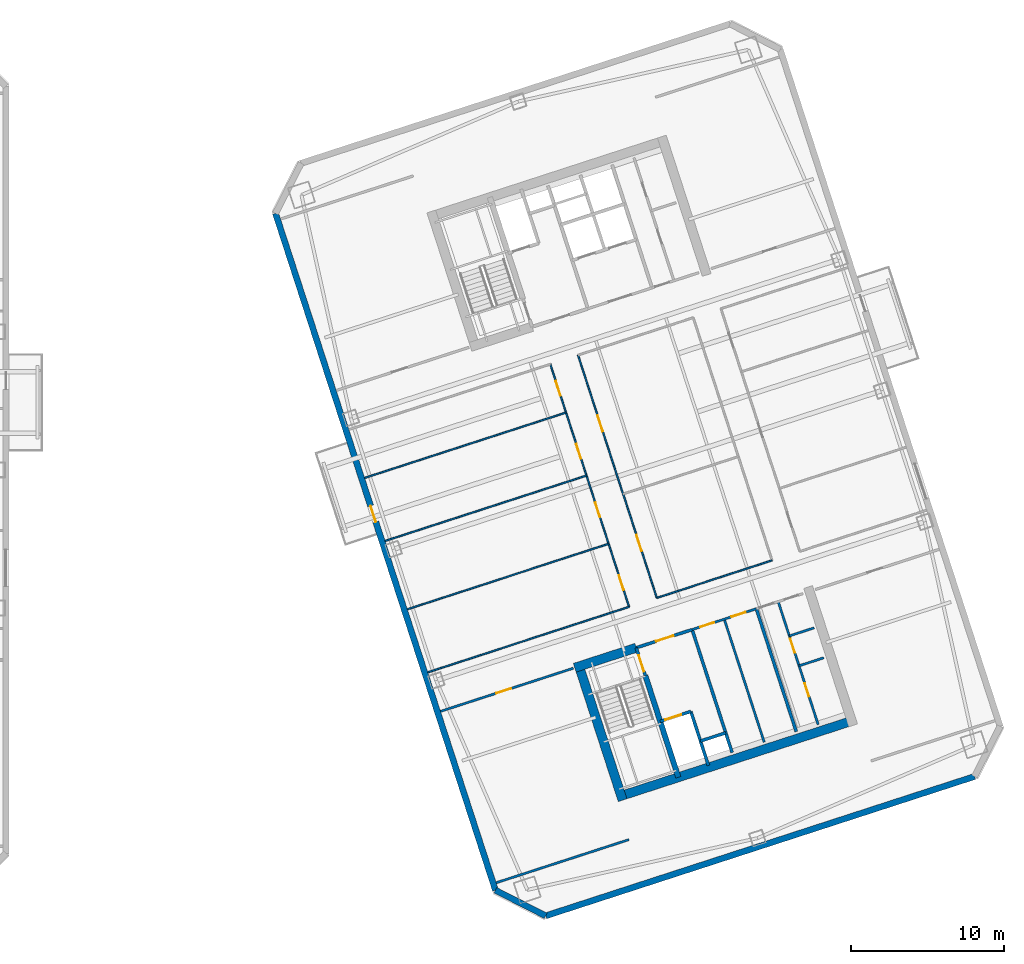
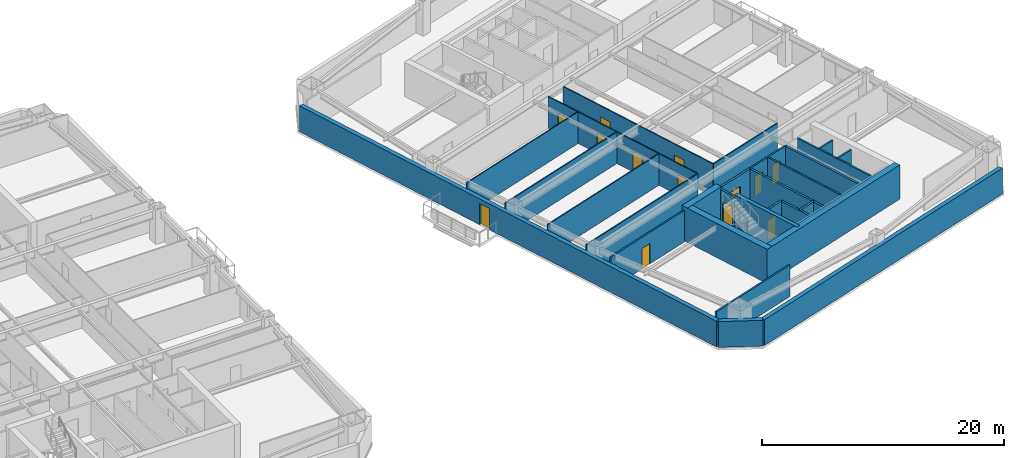
# One storey, part 7 of 15: 28 walls, 15 doors, 15 openings.
"""IFC4 building model written with IfcOpenShell, lengths in metres."""

from ifc_helpers import new_model, si_unit, direction, frame, frame_2d, origin, place, context, subcontext, project, spatial, rectangle, extrude, material, layer, layer_set, type_object, element, fill, save


model = new_model("IFC4")

# Units and contexts
model_context = context("Model", 3, precision=1e-05, world=origin(), true_north=direction((0.0, 1.0)))
body_context = subcontext(model_context, "Body", "Model", "MODEL_VIEW")
ifc_project = project(units=[si_unit("LENGTHUNIT", "METRE"), si_unit("AREAUNIT", "SQUARE_METRE"), si_unit("VOLUMEUNIT", "CUBIC_METRE"), si_unit("PLANEANGLEUNIT", "RADIAN"), si_unit("MASSUNIT", "GRAM", prefix="KILO")], contexts=[model_context])

# Site, building, storey
site_placement = place(None, origin())
site = spatial("IfcSite", under=ifc_project, at=site_placement, CompositionType="ELEMENT")
building_placement = place(site_placement, origin())
building = spatial("IfcBuilding", under=site, at=building_placement, Name="Qiaolan Cultural Towers", CompositionType="ELEMENT")
storey_placement = place(building_placement, frame((0.0, 0.0, 113.85009765625)))
storey = spatial("IfcBuildingStorey", under=building, at=storey_placement, Name="L29", CompositionType="ELEMENT", Elevation=113.85009765625)

# Walls
ifc_material_1 = material(Name="Concrete C50", Category="concrete")
ifc_layer_1 = layer(ifc_material_1, 0.35009765625)
ifc_layer_set_1 = layer_set([ifc_layer_1], Name="Concrete C50")
wall_type_1 = type_object("IfcWallType", Name="WL-CORE-350", PredefinedType="SHEAR", material=ifc_layer_set_1)
wall_1_placement = place(storey_placement, frame((90.486328125, 20.59423828125, 0.0), z_axis=(0.0, 0.0, 1.0), x_axis=(0.309020428229, -0.951055400562, 0.0)))
element("IfcWall", 1, at=wall_1_placement, inside=storey, type_object=wall_type_1, Name="L29 T2-CS Stair Core Dividing Web", PredefinedType="SHEAR", context=body_context, shape_type="SweptSolid", body=[
    extrude(rectangle(XDim=6.97998046875, YDim=0.35009765625, at=frame_2d((3.489990234375, 0.0))), origin(), (0.0, 0.0, 1.0), 3.449951171875),
])
ifc_material_2 = material(Name="Concrete C55", Category="concrete")
ifc_layer_2 = layer(ifc_material_2, 0.60009765625)
ifc_layer_set_2 = layer_set([ifc_layer_2], Name="Concrete C55")
wall_type_2 = type_object("IfcWallType", Name="WL-CORE-600", PredefinedType="SHEAR", material=ifc_layer_set_2)
wall_2_placement = place(storey_placement, frame((88.6298828125, 12.65185546875, 0.0), z_axis=(0.0, 0.0, 1.0), x_axis=(0.95105714907, 0.309015046886, 0.0)))
element("IfcWall", 2, at=wall_2_placement, inside=storey, type_object=wall_type_2, Name="L29 T2-CS Outer Core Shear Wall", PredefinedType="SHEAR", context=body_context, shape_type="SweptSolid", body=[
    extrude(rectangle(XDim=16.400146484375, YDim=0.60009765625, at=frame_2d((8.2001953125, 0.0))), origin(), (0.0, 0.0, 1.0), 3.449951171875),
])
wall_3_placement = place(storey_placement, frame((86.078369140625, 21.47509765625, 0.0), z_axis=(0.0, 0.0, 1.0), x_axis=(0.309017938678, -0.951056209472, 0.0)))
element("IfcWall", 3, at=wall_3_placement, inside=storey, type_object=wall_type_2, Name="L29 T2-CS West Core Shear Wall", PredefinedType="SHEAR", context=body_context, shape_type="SweptSolid", body=[
    extrude(rectangle(XDim=9.479736328125, YDim=0.60009765625, at=frame_2d((4.73974609375, 0.0))), origin(), (0.0, 0.0, 1.0), 3.449951171875),
])
wall_4_placement = place(storey_placement, frame((85.8857421875, 21.09716796875, 0.0), z_axis=(0.0, 0.0, 1.0), x_axis=(0.951068073652, 0.308981422225, 0.0)))
element("IfcWall", 4, at=wall_4_placement, inside=storey, type_object=wall_type_2, Name="L29 T2-CS Stair Front Shear Wall", PredefinedType="SHEAR", context=body_context, shape_type="SweptSolid", body=[
    extrude(rectangle(XDim=4.22021484375, YDim=0.60009765625, at=frame_2d((2.110107421875, 0.0))), origin(), (0.0, 0.0, 1.0), 3.449951171875),
])

# Wall, opening, door
ifc_material_3 = material(Name="Precast Concrete C50 Honed Stone Pier", Category="masonry")
ifc_layer_3 = layer(ifc_material_3, 0.39990234375)
ifc_layer_set_3 = layer_set([ifc_layer_3], Name="Precast Concrete C50 Honed Stone Pier")
wall_type_3 = type_object("IfcWallType", Name="WL-EXT-PIER-400", PredefinedType="SOLIDWALL", material=ifc_layer_set_3)
wall_5_placement = place(storey_placement, frame((80.7158203125, 6.589599609375, 0.0), z_axis=(0.0, 0.0, 1.0), x_axis=(-0.309017542002, 0.95105633836, 0.0)))
wall_5 = element("IfcWall", 5, at=wall_5_placement, inside=storey, type_object=wall_type_3, Name="L29 East Tower Precast Pier Facade Wall F1", PredefinedType="SOLIDWALL", context=body_context, shape_type="SweptSolid", body=[
    extrude(rectangle(XDim=46.39990234375, YDim=0.39990234375, at=frame_2d((23.199951171875, 0.0))), origin(), (0.0, 0.0, 1.0), 2.60986328125),
])
opening_1_placement = place(wall_5_placement, frame((25.25, 0.0, 0.0)))
opening_1 = element("IfcOpeningElement", 6, at=opening_1_placement, cuts=wall_5, Name="Opening BD-01", PredefinedType="OPENING", context=body_context, shape_type="SweptSolid", body=[
    extrude(rectangle(XDim=1.10009765625, YDim=2.14990234375, at=frame_2d((0.550048828125, 1.074951171875))), frame((0.0, 0.2099609375, 0.0), z_axis=(0.0, -1.0, 0.0), x_axis=(1.0, 0.0, 0.0)), (0.0, 0.0, 1.0), 0.419921875),
])
ifc_material_4 = material(Name="Thermally Broken Aluminium Glazed Terrace Door", Category="aluminium")
door_type_1 = type_object("IfcDoorType", Name="DR-BAL-1100", OperationType="NOTDEFINED", PredefinedType="DOOR", material=ifc_material_4)
door_1_placement = place(opening_1_placement, origin())
door_1 = element("IfcDoor", 7, at=door_1_placement, inside=storey, type_object=door_type_1, Name="L29 T2 West Tree Balcony Door", OperationType="SINGLE_SWING_LEFT", OverallHeight=2.14990234375, OverallWidth=1.10009765625, PredefinedType="DOOR", context=body_context, shape_type="SweptSolid", body=[
    extrude(rectangle(XDim=1.10009765625, YDim=2.14990234375, at=frame_2d((0.550048828125, 1.074951171875))), frame((0.0, 0.02490234375, 0.0), z_axis=(0.0, -1.0, 0.0), x_axis=(1.0, 0.0, 0.0)), (0.0, 0.0, 1.0), 0.050048828125),
])
fill(opening_1, door_1)

# Walls
wall_6_placement = place(storey_placement, frame((111.953125, 14.00537109375, 0.0), z_axis=(0.0, 0.0, 1.0), x_axis=(-0.95105505922, -0.309021478754, 0.0)))
element("IfcWall", 8, at=wall_6_placement, inside=storey, type_object=wall_type_3, Name="L29 East Tower Precast Pier Facade Wall F7", PredefinedType="SOLIDWALL", context=body_context, shape_type="SweptSolid", body=[
    extrude(rectangle(XDim=29.39990234375, YDim=0.39990234375, at=frame_2d((14.699951171875, 0.0))), origin(), (0.0, 0.0, 1.0), 2.60986328125),
])
wall_7_placement = place(storey_placement, frame((83.9921875, 4.920166015625, 0.0), z_axis=(0.0, 0.0, 1.0), x_axis=(-0.891001999643, 0.45399937955, 0.0)))
element("IfcWall", 9, at=wall_7_placement, inside=storey, type_object=wall_type_3, Name="L29 East Tower Precast Pier Facade Wall F8", PredefinedType="SOLIDWALL", context=body_context, shape_type="SweptSolid", body=[
    extrude(rectangle(XDim=3.67724609375, YDim=0.39990234375, at=frame_2d((1.838623046875, 0.0))), origin(), (0.0, 0.0, 1.0), 2.60986328125),
])

# Wall, opening, door
ifc_material_5 = material(Name="Concrete C35 Fire Wall", Category="concrete")
ifc_layer_4 = layer(ifc_material_5, 0.199951171875)
ifc_layer_set_4 = layer_set([ifc_layer_4], Name="Concrete C35 Fire Wall")
wall_type_4 = type_object("IfcWallType", Name="WL-FIRE-200", PredefinedType="PARTITIONING", material=ifc_layer_set_4)
wall_8_placement = place(storey_placement, frame((89.8994140625, 22.401123046875, 0.0), z_axis=(0.0, 0.0, 1.0), x_axis=(0.308932062672, -0.951084108086, 0.0)))
wall_8 = element("IfcWall", 10, at=wall_8_placement, inside=storey, type_object=wall_type_4, Name="L29 T2-CS Smokeproof Stair Entry Wall", PredefinedType="PARTITIONING", context=body_context, shape_type="SweptSolid", body=[
    extrude(rectangle(XDim=1.89990234375, YDim=0.199951171875, at=frame_2d((0.949951171875, 0.0))), origin(), (0.0, 0.0, 1.0), 3.1748046875),
])
opening_2_placement = place(wall_8_placement, frame((0.52001953125, 0.0, 0.0)))
opening_2 = element("IfcOpeningElement", 11, at=opening_2_placement, cuts=wall_8, Name="Opening FD-04", PredefinedType="OPENING", context=body_context, shape_type="SweptSolid", body=[
    extrude(rectangle(XDim=1.10009765625, YDim=2.050048828125, at=frame_2d((0.550048828125, 1.02490234375))), frame((0.0, 0.10986328125, 0.0), z_axis=(0.0, -1.0, 0.0), x_axis=(1.0, 0.0, 0.0)), (0.0, 0.0, 1.0), 0.219970703125),
])
ifc_material_6 = material(Name="Galvanized Steel Command Fire Door", Category="steel")
door_type_2 = type_object("IfcDoorType", Name="DR-FD90-1100", OperationType="NOTDEFINED", PredefinedType="DOOR", material=ifc_material_6)
door_2_placement = place(opening_2_placement, origin())
door_2 = element("IfcDoor", 12, at=door_2_placement, inside=storey, type_object=door_type_2, Name="L29 ST-E1 Smokeproof Stair Fire Door", OperationType="SINGLE_SWING_LEFT", OverallHeight=2.050048828125, OverallWidth=1.10009765625, PredefinedType="DOOR", context=body_context, shape_type="SweptSolid", body=[
    extrude(rectangle(XDim=1.10009765625, YDim=2.050048828125, at=frame_2d((0.550048828125, 1.02490234375))), frame((0.0, 0.02490234375, 0.0), z_axis=(0.0, -1.0, 0.0), x_axis=(1.0, 0.0, 0.0)), (0.0, 0.0, 1.0), 0.050048828125),
])
fill(opening_2, door_2)

# Wall
wall_9_placement = place(storey_placement, frame((93.541748046875, 23.584716796875, 0.0), z_axis=(0.0, 0.0, 1.0), x_axis=(0.309042196757, -0.951048327176, 0.0)))
element("IfcWall", 13, at=wall_9_placement, inside=storey, type_object=wall_type_4, Name="L29 T2-CS Firefighting Zone Wall", PredefinedType="PARTITIONING", context=body_context, shape_type="SweptSolid", body=[
    extrude(rectangle(XDim=8.429931640625, YDim=0.199951171875, at=frame_2d((4.21484375, 0.0))), origin(), (0.0, 0.0, 1.0), 3.1748046875),
])

# Wall, opening, door
wall_10_placement = place(storey_placement, frame((89.8994140625, 22.401123046875, 0.0), z_axis=(0.0, 0.0, 1.0), x_axis=(0.951046716504, 0.309047153403, 0.0)))
wall_10 = element("IfcWall", 14, at=wall_10_placement, inside=storey, type_object=wall_type_4, Name="L29 T2-CS Firefighting Lobby Front Wall", PredefinedType="PARTITIONING", context=body_context, shape_type="SweptSolid", body=[
    extrude(rectangle(XDim=3.829833984375, YDim=0.199951171875, at=frame_2d((1.9150390625, 0.0))), origin(), (0.0, 0.0, 1.0), 3.1748046875),
])
opening_3_placement = place(wall_10_placement, frame((1.35009765625, 0.0, 0.0)))
opening_3 = element("IfcOpeningElement", 15, at=opening_3_placement, cuts=wall_10, Name="Opening FD-03", PredefinedType="OPENING", context=body_context, shape_type="SweptSolid", body=[
    extrude(rectangle(XDim=1.199951171875, YDim=2.050048828125, at=frame_2d((0.60009765625, 1.02490234375))), frame((0.0, 0.10986328125, 0.0), z_axis=(0.0, -1.0, 0.0), x_axis=(1.0, 0.0, 0.0)), (0.0, 0.0, 1.0), 0.219970703125),
])
ifc_material_7 = material(Name="Galvanized Steel Smokeproof Lobby Fire Door", Category="steel")
door_type_3 = type_object("IfcDoorType", Name="DR-FD90-1200", OperationType="NOTDEFINED", PredefinedType="DOOR", material=ifc_material_7)
door_3_placement = place(opening_3_placement, origin())
door_3 = element("IfcDoor", 16, at=door_3_placement, inside=storey, type_object=door_type_3, Name="L29 FFL-E1 Firefighting Lobby Fire Door", OperationType="SINGLE_SWING_LEFT", OverallHeight=2.050048828125, OverallWidth=1.199951171875, PredefinedType="DOOR", context=body_context, shape_type="SweptSolid", body=[
    extrude(rectangle(XDim=1.199951171875, YDim=2.050048828125, at=frame_2d((0.60009765625, 1.02490234375))), frame((0.0, 0.02490234375, 0.0), z_axis=(0.0, -1.0, 0.0), x_axis=(1.0, 0.0, 0.0)), (0.0, 0.0, 1.0), 0.050048828125),
])
fill(opening_3, door_3)

wall_11_placement = place(storey_placement, frame((91.459716796875, 17.598388671875, 0.0), z_axis=(0.0, 0.0, 1.0), x_axis=(0.951062257173, 0.308999325213, 0.0)))
wall_11 = element("IfcWall", 17, at=wall_11_placement, inside=storey, type_object=wall_type_4, Name="L29 T2-CS Firefighting Shaft Front Wall", PredefinedType="PARTITIONING", context=body_context, shape_type="SweptSolid", body=[
    extrude(rectangle(XDim=2.10009765625, YDim=0.199951171875, at=frame_2d((1.050048828125, 0.0))), origin(), (0.0, 0.0, 1.0), 3.1748046875),
])
opening_4_placement = place(wall_11_placement, frame((0.35009765625, 0.0, 0.0)))
opening_4 = element("IfcOpeningElement", 18, at=opening_4_placement, cuts=wall_11, Name="Opening LD-01", PredefinedType="OPENING", context=body_context, shape_type="SweptSolid", body=[
    extrude(rectangle(XDim=1.10009765625, YDim=2.050048828125, at=frame_2d((0.550048828125, 1.02490234375))), frame((0.0, 0.10986328125, 0.0), z_axis=(0.0, -1.0, 0.0), x_axis=(1.0, 0.0, 0.0)), (0.0, 0.0, 1.0), 0.219970703125),
])
ifc_material_8 = material(Name="Brushed Stainless Steel S30408 Centre-Parting Lift Landing Door", Category="steel")
door_type_4 = type_object("IfcDoorType", Name="DR-LIFT-1100", OperationType="NOTDEFINED", PredefinedType="DOOR", material=ifc_material_8)
door_4_placement = place(opening_4_placement, origin())
door_4 = element("IfcDoor", 19, at=door_4_placement, inside=storey, type_object=door_type_4, Name="L29 FFL-E1 Firefighting Lift Landing Door", OperationType="DOUBLE_DOOR_SLIDING", OverallHeight=2.050048828125, OverallWidth=1.10009765625, PredefinedType="DOOR", context=body_context, shape_type="SweptSolid", body=[
    extrude(rectangle(XDim=1.10009765625, YDim=2.050048828125, at=frame_2d((0.550048828125, 1.02490234375))), frame((0.0, 0.02490234375, 0.0), z_axis=(0.0, -1.0, 0.0), x_axis=(1.0, 0.0, 0.0)), (0.0, 0.0, 1.0), 0.050048828125),
])
fill(opening_4, door_4)

# Walls
wall_12_placement = place(storey_placement, frame((93.45703125, 18.247314453125, 0.0), z_axis=(0.0, 0.0, 1.0), x_axis=(0.3089935693, -0.951064127245, 0.0)))
element("IfcWall", 20, at=wall_12_placement, inside=storey, type_object=wall_type_4, Name="L29 T2-CS Firefighting Hoistway East Wall", PredefinedType="PARTITIONING", context=body_context, shape_type="SweptSolid", body=[
    extrude(rectangle(XDim=3.7001953125, YDim=0.199951171875, at=frame_2d((1.85009765625, 0.0))), origin(), (0.0, 0.0, 1.0), 3.1748046875),
])
wall_13_placement = place(storey_placement, frame((94.08447265625, 16.316650390625, 0.0), z_axis=(0.0, 0.0, 1.0), x_axis=(0.951041328149, 0.309063734775, 0.0)))
element("IfcWall", 21, at=wall_13_placement, inside=storey, type_object=wall_type_4, Name="L29 T2-CS Pressurization Shaft Front Wall", PredefinedType="PARTITIONING", context=body_context, shape_type="SweptSolid", body=[
    extrude(rectangle(XDim=1.72998046875, YDim=0.199951171875, at=frame_2d((0.864990234375, 0.0))), origin(), (0.0, 0.0, 1.0), 3.1748046875),
])
wall_14_placement = place(storey_placement, frame((97.7265625, 24.9443359375, 0.0), z_axis=(0.0, 0.0, 1.0), x_axis=(0.309016001439, -0.951056838919, 0.0)))
element("IfcWall", 22, at=wall_14_placement, inside=storey, type_object=wall_type_4, Name="L29 T2-CS Lift Core East Wall", PredefinedType="PARTITIONING", context=body_context, shape_type="SweptSolid", body=[
    extrude(rectangle(XDim=8.429931640625, YDim=0.199951171875, at=frame_2d((4.21484375, 0.0))), origin(), (0.0, 0.0, 1.0), 3.1748046875),
])
ifc_material_9 = material(Name="Acoustic Double-Glazed Partition Frame", Category="glass")
ifc_layer_5 = layer(ifc_material_9, 0.10009765625)
ifc_layer_set_5 = layer_set([ifc_layer_5], Name="Acoustic Double-Glazed Partition Frame")
wall_type_5 = type_object("IfcWallType", Name="WL-GLAZED-100", PredefinedType="MOVABLE", material=ifc_layer_set_5)
wall_15_placement = place(storey_placement, frame((76.307861328125, 20.802978515625, 0.0), z_axis=(0.0, 0.0, 1.0), x_axis=(0.951058377365, 0.309011266531, 0.0)))
element("IfcWall", 23, at=wall_15_placement, inside=storey, type_object=wall_type_5, Name="L29 T2 Interior Wall", PredefinedType="MOVABLE", context=body_context, shape_type="SweptSolid", body=[
    extrude(rectangle(XDim=13.800048828125, YDim=0.10009765625, at=frame_2d((6.89990234375, 0.0))), origin(), (0.0, 0.0, 1.0), 3.1748046875),
])
wall_16_placement = place(storey_placement, frame((91.239501953125, 25.654541015625, 0.0), z_axis=(0.0, 0.0, 1.0), x_axis=(0.951060182336, 0.309005711233, 0.0)))
element("IfcWall", 24, at=wall_16_placement, inside=storey, type_object=wall_type_5, Name="L29 T2 Interior Wall", PredefinedType="MOVABLE", context=body_context, shape_type="SweptSolid", body=[
    extrude(rectangle(XDim=7.900146484375, YDim=0.10009765625, at=frame_2d((3.9501953125, 0.0))), origin(), (0.0, 0.0, 1.0), 3.1748046875),
])

# Wall, openings, doors
wall_17_placement = place(storey_placement, frame((89.4326171875, 25.0673828125, 0.0), z_axis=(0.0, 0.0, 1.0), x_axis=(-0.30901773025, 0.951056277195, 0.0)))
wall_17 = element("IfcWall", 25, at=wall_17_placement, inside=storey, type_object=wall_type_5, Name="L29 T2 Interior Wall", PredefinedType="MOVABLE", context=body_context, shape_type="SweptSolid", body=[
    extrude(rectangle(XDim=16.64013671875, YDim=0.10009765625, at=frame_2d((8.320068359375, 0.0))), origin(), (0.0, 0.0, 1.0), 3.1748046875),
])
opening_5_placement = place(wall_17_placement, frame((1.159912109375, 0.0, 0.0)))
opening_5 = element("IfcOpeningElement", 26, at=opening_5_placement, cuts=wall_17, Name="Opening ID-04", PredefinedType="OPENING", context=body_context, shape_type="SweptSolid", body=[
    extrude(rectangle(XDim=1.0, YDim=2.050048828125, at=frame_2d((0.5, 1.02490234375))), frame((0.0, 0.06005859375, 0.0), z_axis=(0.0, -1.0, 0.0), x_axis=(1.0, 0.0, 0.0)), (0.0, 0.0, 1.0), 0.1201171875),
])
opening_6_placement = place(wall_17_placement, frame((6.159912109375, 0.0, 0.0)))
opening_6 = element("IfcOpeningElement", 27, at=opening_6_placement, cuts=wall_17, Name="Opening ID-04", PredefinedType="OPENING", context=body_context, shape_type="SweptSolid", body=[
    extrude(rectangle(XDim=1.0, YDim=2.050048828125, at=frame_2d((0.5, 1.02490234375))), frame((0.0, 0.06005859375, 0.0), z_axis=(0.0, -1.0, 0.0), x_axis=(1.0, 0.0, 0.0)), (0.0, 0.0, 1.0), 0.1201171875),
])
opening_7_placement = place(wall_17_placement, frame((10.159912109375, 0.0, 0.0)))
opening_7 = element("IfcOpeningElement", 28, at=opening_7_placement, cuts=wall_17, Name="Opening ID-04", PredefinedType="OPENING", context=body_context, shape_type="SweptSolid", body=[
    extrude(rectangle(XDim=1.0, YDim=2.050048828125, at=frame_2d((0.5, 1.02490234375))), frame((0.0, 0.06005859375, 0.0), z_axis=(0.0, -1.0, 0.0), x_axis=(1.0, 0.0, 0.0)), (0.0, 0.0, 1.0), 0.1201171875),
])
opening_8_placement = place(wall_17_placement, frame((14.47998046875, 0.0, 0.0)))
opening_8 = element("IfcOpeningElement", 29, at=opening_8_placement, cuts=wall_17, Name="Opening ID-04", PredefinedType="OPENING", context=body_context, shape_type="SweptSolid", body=[
    extrude(rectangle(XDim=1.0, YDim=2.050048828125, at=frame_2d((0.5, 1.02490234375))), frame((0.0, 0.06005859375, 0.0), z_axis=(0.0, -1.0, 0.0), x_axis=(1.0, 0.0, 0.0)), (0.0, 0.0, 1.0), 0.1201171875),
])
ifc_material_10 = material(Name="Oak Veneer Acoustic Office Door", Category="timber")
door_type_5 = type_object("IfcDoorType", Name="DR-INT-1000", OperationType="NOTDEFINED", PredefinedType="DOOR", material=ifc_material_10)
door_5_placement = place(opening_5_placement, origin())
door_5 = element("IfcDoor", 30, at=door_5_placement, inside=storey, type_object=door_type_5, Name="L29 T2 Advisory Office Door", OperationType="SINGLE_SWING_LEFT", OverallHeight=2.050048828125, OverallWidth=1.0, PredefinedType="DOOR", context=body_context, shape_type="SweptSolid", body=[
    extrude(rectangle(XDim=1.0, YDim=2.050048828125, at=frame_2d((0.5, 1.02490234375))), frame((0.0, 0.02490234375, 0.0), z_axis=(0.0, -1.0, 0.0), x_axis=(1.0, 0.0, 0.0)), (0.0, 0.0, 1.0), 0.050048828125),
])
fill(opening_5, door_5)
door_6_placement = place(opening_6_placement, origin())
door_6 = element("IfcDoor", 31, at=door_6_placement, inside=storey, type_object=door_type_5, Name="L29 T2 Advisory Office Door", OperationType="SINGLE_SWING_LEFT", OverallHeight=2.050048828125, OverallWidth=1.0, PredefinedType="DOOR", context=body_context, shape_type="SweptSolid", body=[
    extrude(rectangle(XDim=1.0, YDim=2.050048828125, at=frame_2d((0.5, 1.02490234375))), frame((0.0, 0.02490234375, 0.0), z_axis=(0.0, -1.0, 0.0), x_axis=(1.0, 0.0, 0.0)), (0.0, 0.0, 1.0), 0.050048828125),
])
fill(opening_6, door_6)
door_7_placement = place(opening_7_placement, origin())
door_7 = element("IfcDoor", 32, at=door_7_placement, inside=storey, type_object=door_type_5, Name="L29 T2 Advisory Office Door", OperationType="SINGLE_SWING_RIGHT", OverallHeight=2.050048828125, OverallWidth=1.0, PredefinedType="DOOR", context=body_context, shape_type="SweptSolid", body=[
    extrude(rectangle(XDim=1.0, YDim=2.050048828125, at=frame_2d((0.5, 1.02490234375))), frame((0.0, 0.02490234375, 0.0), z_axis=(0.0, -1.0, 0.0), x_axis=(1.0, 0.0, 0.0)), (0.0, 0.0, 1.0), 0.050048828125),
])
fill(opening_7, door_7)
door_8_placement = place(opening_8_placement, origin())
door_8 = element("IfcDoor", 33, at=door_8_placement, inside=storey, type_object=door_type_5, Name="L29 T2 Advisory Office Door", OperationType="SINGLE_SWING_RIGHT", OverallHeight=2.050048828125, OverallWidth=1.0, PredefinedType="DOOR", context=body_context, shape_type="SweptSolid", body=[
    extrude(rectangle(XDim=1.0, YDim=2.050048828125, at=frame_2d((0.5, 1.02490234375))), frame((0.0, 0.02490234375, 0.0), z_axis=(0.0, -1.0, 0.0), x_axis=(1.0, 0.0, 0.0)), (0.0, 0.0, 1.0), 0.050048828125),
])
fill(opening_8, door_8)

wall_18_placement = place(storey_placement, frame((91.239501953125, 25.654541015625, 0.0), z_axis=(0.0, 0.0, 1.0), x_axis=(-0.30901773025, 0.951056277195, 0.0)))
wall_18 = element("IfcWall", 34, at=wall_18_placement, inside=storey, type_object=wall_type_5, Name="L29 T2 Interior Wall", PredefinedType="MOVABLE", context=body_context, shape_type="SweptSolid", body=[
    extrude(rectangle(XDim=16.64013671875, YDim=0.10009765625, at=frame_2d((8.320068359375, 0.0))), origin(), (0.0, 0.0, 1.0), 3.1748046875),
])
opening_9_placement = place(wall_18_placement, frame((3.2041015625, 0.0, 0.0)))
opening_9 = element("IfcOpeningElement", 35, at=opening_9_placement, cuts=wall_18, Name="Opening ID-03", PredefinedType="OPENING", context=body_context, shape_type="SweptSolid", body=[
    extrude(rectangle(XDim=1.10009765625, YDim=2.050048828125, at=frame_2d((0.550048828125, 1.02490234375))), frame((0.0, 0.06005859375, 0.0), z_axis=(0.0, -1.0, 0.0), x_axis=(1.0, 0.0, 0.0)), (0.0, 0.0, 1.0), 0.1201171875),
])
opening_10_placement = place(wall_18_placement, frame((11.404052734375, 0.0, 0.0)))
opening_10 = element("IfcOpeningElement", 36, at=opening_10_placement, cuts=wall_18, Name="Opening ID-03", PredefinedType="OPENING", context=body_context, shape_type="SweptSolid", body=[
    extrude(rectangle(XDim=1.10009765625, YDim=2.050048828125, at=frame_2d((0.550048828125, 1.02490234375))), frame((0.0, 0.06005859375, 0.0), z_axis=(0.0, -1.0, 0.0), x_axis=(1.0, 0.0, 0.0)), (0.0, 0.0, 1.0), 0.1201171875),
])
ifc_material_11 = material(Name="Oak Veneer Solid-Core Boardroom Door", Category="timber")
door_type_6 = type_object("IfcDoorType", Name="DR-INT-1100", OperationType="NOTDEFINED", PredefinedType="DOOR", material=ifc_material_11)
door_9_placement = place(opening_9_placement, origin())
door_9 = element("IfcDoor", 37, at=door_9_placement, inside=storey, type_object=door_type_6, Name="L29 T2 Central Boardroom Door", OperationType="SINGLE_SWING_LEFT", OverallHeight=2.050048828125, OverallWidth=1.10009765625, PredefinedType="DOOR", context=body_context, shape_type="SweptSolid", body=[
    extrude(rectangle(XDim=1.10009765625, YDim=2.050048828125, at=frame_2d((0.550048828125, 1.02490234375))), frame((0.0, 0.02490234375, 0.0), z_axis=(0.0, -1.0, 0.0), x_axis=(1.0, 0.0, 0.0)), (0.0, 0.0, 1.0), 0.050048828125),
])
fill(opening_9, door_9)
door_10_placement = place(opening_10_placement, origin())
door_10 = element("IfcDoor", 38, at=door_10_placement, inside=storey, type_object=door_type_6, Name="L29 T2 Central Archive Salon Door", OperationType="SINGLE_SWING_RIGHT", OverallHeight=2.050048828125, OverallWidth=1.10009765625, PredefinedType="DOOR", context=body_context, shape_type="SweptSolid", body=[
    extrude(rectangle(XDim=1.10009765625, YDim=2.050048828125, at=frame_2d((0.550048828125, 1.02490234375))), frame((0.0, 0.02490234375, 0.0), z_axis=(0.0, -1.0, 0.0), x_axis=(1.0, 0.0, 0.0)), (0.0, 0.0, 1.0), 0.050048828125),
])
fill(opening_10, door_10)

# Walls
wall_19_placement = place(storey_placement, frame((74.972900390625, 24.91162109375, 0.0), z_axis=(0.0, 0.0, 1.0), x_axis=(0.951058377365, 0.309011266531, 0.0)))
element("IfcWall", 39, at=wall_19_placement, inside=storey, type_object=wall_type_5, Name="L29 T2 Interior Wall", PredefinedType="MOVABLE", context=body_context, shape_type="SweptSolid", body=[
    extrude(rectangle(XDim=13.800048828125, YDim=0.10009765625, at=frame_2d((6.89990234375, 0.0))), origin(), (0.0, 0.0, 1.0), 3.1748046875),
])
for number, where, z_axis, x_axis, name in (
    (40, (73.52685546875, 29.362548828125, 0.0), (0.0, 0.0, 1.0), (0.951056688031, 0.309016465825, 0.0), "L29 T2 Interior Wall"),
    (41, (72.19189453125, 33.47119140625, 0.0), (0.0, 0.0, 1.0), (0.951056688031, 0.309016465825, 0.0), "L29 T2 Interior Wall"),
):
    element("IfcWall", number, at=place(storey_placement, frame(where, z_axis=z_axis, x_axis=x_axis)), inside=storey, type_object=wall_type_5, Name=name, PredefinedType="MOVABLE", context=body_context, shape_type="SweptSolid", body=[
        extrude(rectangle(XDim=13.7998046875, YDim=0.10009765625, at=frame_2d((6.89990234375, 0.0))), origin(), (0.0, 0.0, 1.0), 3.1748046875),
    ])

# Wall, openings, doors
ifc_material_12 = material(Name="Autoclaved Aerated Concrete Block B06", Category="concrete")
ifc_layer_6 = layer(ifc_material_12, 0.14990234375)
ifc_layer_set_6 = layer_set([ifc_layer_6], Name="Autoclaved Aerated Concrete Block B06")
wall_type_6 = type_object("IfcWallType", Name="WL-PART-150", PredefinedType="PARTITIONING", material=ifc_layer_set_6)
wall_20_placement = place(storey_placement, frame((93.541748046875, 23.584716796875, 0.0), z_axis=(0.0, 0.0, 1.0), x_axis=(0.951063829732, 0.308994485023, 0.0)))
wall_20 = element("IfcWall", 42, at=wall_20_placement, inside=storey, type_object=wall_type_6, Name="L29 T2-CS Reclaimed Core Room Front Wall", PredefinedType="PARTITIONING", context=body_context, shape_type="SweptSolid", body=[
    extrude(rectangle(XDim=4.400146484375, YDim=0.14990234375, at=frame_2d((2.2001953125, 0.0))), origin(), (0.0, 0.0, 1.0), 3.1748046875),
])
opening_11_placement = place(wall_20_placement, frame((0.550048828125, 0.0, 0.0)))
opening_11 = element("IfcOpeningElement", 43, at=opening_11_placement, cuts=wall_20, Name="Opening ID-05", PredefinedType="OPENING", context=body_context, shape_type="SweptSolid", body=[
    extrude(rectangle(XDim=0.949951171875, YDim=2.050048828125, at=frame_2d((0.47509765625, 1.02490234375))), frame((0.0, 0.0849609375, 0.0), z_axis=(0.0, -1.0, 0.0), x_axis=(1.0, 0.0, 0.0)), (0.0, 0.0, 1.0), 0.169921875),
])
opening_12_placement = place(wall_20_placement, frame((2.699951171875, 0.0, 0.0)))
opening_12 = element("IfcOpeningElement", 44, at=opening_12_placement, cuts=wall_20, Name="Opening ID-05", PredefinedType="OPENING", context=body_context, shape_type="SweptSolid", body=[
    extrude(rectangle(XDim=0.949951171875, YDim=2.050048828125, at=frame_2d((0.47509765625, 1.02490234375))), frame((0.0, 0.0849609375, 0.0), z_axis=(0.0, -1.0, 0.0), x_axis=(1.0, 0.0, 0.0)), (0.0, 0.0, 1.0), 0.169921875),
])
ifc_material_13 = material(Name="Fire-Rated Laminate Accessible Core Door", Category="timber")
door_type_7 = type_object("IfcDoorType", Name="DR-INT-950", OperationType="NOTDEFINED", PredefinedType="DOOR", material=ifc_material_13)
door_11_placement = place(opening_11_placement, origin())
door_11 = element("IfcDoor", 45, at=door_11_placement, inside=storey, type_object=door_type_7, Name="L29 Copy Print Room Door", OperationType="SINGLE_SWING_LEFT", OverallHeight=2.050048828125, OverallWidth=0.949951171875, PredefinedType="DOOR", context=body_context, shape_type="SweptSolid", body=[
    extrude(rectangle(XDim=0.949951171875, YDim=2.050048828125, at=frame_2d((0.47509765625, 1.02490234375))), frame((0.0, 0.02490234375, 0.0), z_axis=(0.0, -1.0, 0.0), x_axis=(1.0, 0.0, 0.0)), (0.0, 0.0, 1.0), 0.050048828125),
])
fill(opening_11, door_11)
door_12_placement = place(opening_12_placement, origin())
door_12 = element("IfcDoor", 46, at=door_12_placement, inside=storey, type_object=door_type_7, Name="L29 Tea Pantry Room Door", OperationType="SINGLE_SWING_RIGHT", OverallHeight=2.050048828125, OverallWidth=0.949951171875, PredefinedType="DOOR", context=body_context, shape_type="SweptSolid", body=[
    extrude(rectangle(XDim=0.949951171875, YDim=2.050048828125, at=frame_2d((0.47509765625, 1.02490234375))), frame((0.0, 0.02490234375, 0.0), z_axis=(0.0, -1.0, 0.0), x_axis=(1.0, 0.0, 0.0)), (0.0, 0.0, 1.0), 0.050048828125),
])
fill(opening_12, door_12)

# Wall
wall_21_placement = place(storey_placement, frame((95.63427734375, 24.2646484375, 0.0), z_axis=(0.0, 0.0, 1.0), x_axis=(0.309007490203, -0.951059604335, 0.0)))
element("IfcWall", 47, at=wall_21_placement, inside=storey, type_object=wall_type_6, Name="L29 T2-CS Reclaimed Twin Room Wall", PredefinedType="PARTITIONING", context=body_context, shape_type="SweptSolid", body=[
    extrude(rectangle(XDim=8.43017578125, YDim=0.14990234375, at=frame_2d((4.215087890625, 0.0))), origin(), (0.0, 0.0, 1.0), 3.1748046875),
])

# Wall, openings, doors
wall_22_placement = place(storey_placement, frame((99.153076171875, 25.407958984375, 0.0), z_axis=(0.0, 0.0, 1.0), x_axis=(0.309016001439, -0.951056838919, 0.0)))
wall_22 = element("IfcWall", 48, at=wall_22_placement, inside=storey, type_object=wall_type_6, Name="L29 T2-CS Sanitary Corridor Wall", PredefinedType="PARTITIONING", context=body_context, shape_type="SweptSolid", body=[
    extrude(rectangle(XDim=8.429931640625, YDim=0.14990234375, at=frame_2d((4.21484375, 0.0))), origin(), (0.0, 0.0, 1.0), 3.1748046875),
])
opening_13_placement = place(wall_22_placement, frame((2.550048828125, 0.0, 0.0)))
opening_13 = element("IfcOpeningElement", 49, at=opening_13_placement, cuts=wall_22, Name="Opening ID-05", PredefinedType="OPENING", context=body_context, shape_type="SweptSolid", body=[
    extrude(rectangle(XDim=0.949951171875, YDim=2.050048828125, at=frame_2d((0.47509765625, 1.02490234375))), frame((0.0, 0.0849609375, 0.0), z_axis=(0.0, -1.0, 0.0), x_axis=(1.0, 0.0, 0.0)), (0.0, 0.0, 1.0), 0.169921875),
])
opening_14_placement = place(wall_22_placement, frame((5.60009765625, 0.0, 0.0)))
opening_14 = element("IfcOpeningElement", 50, at=opening_14_placement, cuts=wall_22, Name="Opening ID-06", PredefinedType="OPENING", context=body_context, shape_type="SweptSolid", body=[
    extrude(rectangle(XDim=0.89990234375, YDim=2.050048828125, at=frame_2d((0.449951171875, 1.02490234375))), frame((0.0, 0.0849609375, 0.0), z_axis=(0.0, -1.0, 0.0), x_axis=(1.0, 0.0, 0.0)), (0.0, 0.0, 1.0), 0.169921875),
])
ifc_material_14 = material(Name="Fire-Rated Laminate Core Service Door", Category="timber")
door_type_8 = type_object("IfcDoorType", Name="DR-INT-900", OperationType="NOTDEFINED", PredefinedType="DOOR", material=ifc_material_14)
door_13_placement = place(opening_14_placement, origin())
door_13 = element("IfcDoor", 51, at=door_13_placement, inside=storey, type_object=door_type_8, Name="L29 Staff Restroom Door", OperationType="SINGLE_SWING_RIGHT", OverallHeight=2.050048828125, OverallWidth=0.89990234375, PredefinedType="DOOR", context=body_context, shape_type="SweptSolid", body=[
    extrude(rectangle(XDim=0.89990234375, YDim=2.050048828125, at=frame_2d((0.449951171875, 1.02490234375))), frame((0.0, 0.02490234375, 0.0), z_axis=(0.0, -1.0, 0.0), x_axis=(1.0, 0.0, 0.0)), (0.0, 0.0, 1.0), 0.050048828125),
])
fill(opening_14, door_13)
door_14_placement = place(opening_13_placement, origin())
door_14 = element("IfcDoor", 52, at=door_14_placement, inside=storey, type_object=door_type_7, Name="L29 Accessible Washroom Door", OperationType="SINGLE_SWING_LEFT", OverallHeight=2.050048828125, OverallWidth=0.949951171875, PredefinedType="DOOR", context=body_context, shape_type="SweptSolid", body=[
    extrude(rectangle(XDim=0.949951171875, YDim=2.050048828125, at=frame_2d((0.47509765625, 1.02490234375))), frame((0.0, 0.02490234375, 0.0), z_axis=(0.0, -1.0, 0.0), x_axis=(1.0, 0.0, 0.0)), (0.0, 0.0, 1.0), 0.050048828125),
])
fill(opening_13, door_14)

# Walls
for number, where, z_axis, x_axis, name in (
    (53, (100.5126953125, 21.223388671875, 0.0), (0.0, 0.0, 1.0), (0.951096313471, 0.308894484414, 0.0), "L29 T2-CS Restroom Split Wall"),
    (54, (99.879150390625, 23.1728515625, 0.0), (0.0, 0.0, 1.0), (0.951054116971, 0.309024378638, 0.0), "L29 T2-CS Core Pantry Wall"),
):
    element("IfcWall", number, at=place(storey_placement, frame(where, z_axis=z_axis, x_axis=x_axis)), inside=storey, type_object=wall_type_6, Name=name, PredefinedType="PARTITIONING", context=body_context, shape_type="SweptSolid", body=[
        extrude(rectangle(XDim=1.7001953125, YDim=0.14990234375, at=frame_2d((0.85009765625, 0.0))), origin(), (0.0, 0.0, 1.0), 3.1748046875),
    ])
wall_23_placement = place(storey_placement, frame((80.76708984375, 7.079345703125, 0.0), z_axis=(0.0, 0.0, 1.0), x_axis=(0.951057133767, 0.309015093986, 0.0)))
element("IfcWall", 55, at=wall_23_placement, inside=storey, type_object=wall_type_6, Name="L29 T2 Flank Wall FLK-SW", PredefinedType="PARTITIONING", context=body_context, shape_type="SweptSolid", body=[
    extrude(rectangle(XDim=9.099853515625, YDim=0.14990234375, at=frame_2d((4.5498046875, 0.0))), origin(), (0.0, 0.0, 1.0), 3.1748046875),
])

# Wall, opening, door
wall_24_placement = place(storey_placement, frame((77.13623046875, 18.254150390625, 0.0), z_axis=(0.0, 0.0, 1.0), x_axis=(0.951057133767, 0.309015093986, 0.0)))
wall_24 = element("IfcWall", 56, at=wall_24_placement, inside=storey, type_object=wall_type_6, Name="L29 T2 Flank Front FLK-SW", PredefinedType="PARTITIONING", context=body_context, shape_type="SweptSolid", body=[
    extrude(rectangle(XDim=9.099853515625, YDim=0.14990234375, at=frame_2d((4.5498046875, 0.0))), origin(), (0.0, 0.0, 1.0), 3.1748046875),
])
opening_15_placement = place(wall_24_placement, frame((3.822021484375, 0.0, 0.0)))
opening_15 = element("IfcOpeningElement", 57, at=opening_15_placement, cuts=wall_24, Name="Opening ID-04", PredefinedType="OPENING", context=body_context, shape_type="SweptSolid", body=[
    extrude(rectangle(XDim=1.0, YDim=2.050048828125, at=frame_2d((0.5, 1.02490234375))), frame((0.0, 0.0849609375, 0.0), z_axis=(0.0, -1.0, 0.0), x_axis=(1.0, 0.0, 0.0)), (0.0, 0.0, 1.0), 0.169921875),
])
door_15_placement = place(opening_15_placement, origin())
door_15 = element("IfcDoor", 58, at=door_15_placement, inside=storey, type_object=door_type_5, Name="L29 T2 Corner Studio Door", OperationType="SINGLE_SWING_LEFT", OverallHeight=2.050048828125, OverallWidth=1.0, PredefinedType="DOOR", context=body_context, shape_type="SweptSolid", body=[
    extrude(rectangle(XDim=1.0, YDim=2.050048828125, at=frame_2d((0.5, 1.02490234375))), frame((0.0, 0.02490234375, 0.0), z_axis=(0.0, -1.0, 0.0), x_axis=(1.0, 0.0, 0.0)), (0.0, 0.0, 1.0), 0.050048828125),
])
fill(opening_15, door_15)

save(model, "model.ifc")
